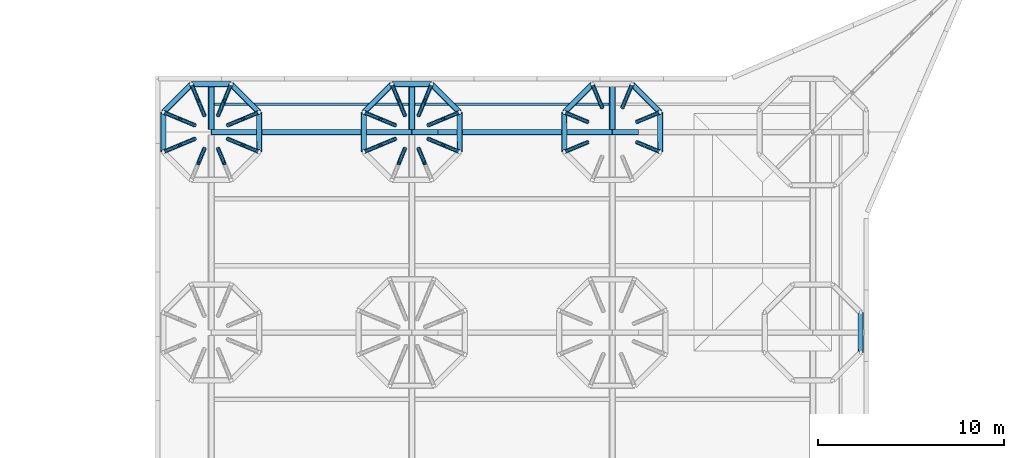
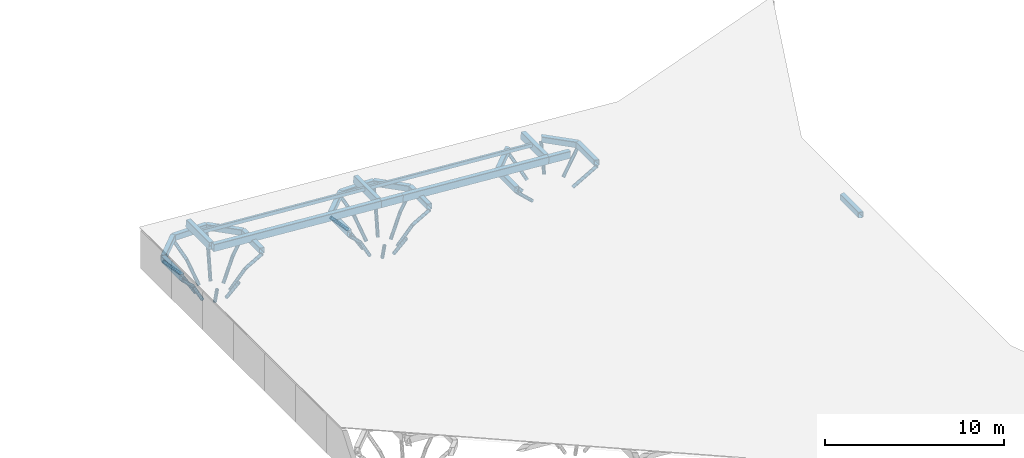
# One storey, part 41 of 95: 34 members, 24 beams.
"""IFC4 building model written with IfcOpenShell, lengths in metres."""

from ifc_helpers import new_model, si_unit, direction, frame, origin, origin_2d, place, context, subcontext, project, spatial, hollow_rectangle, hollow_circle, extrude, clip, halfspace, material, material_profile, profile_set, type_object, element, save


model = new_model("IFC4")

# Units and contexts
model_context = context("Model", 3, precision=1e-05, world=origin(), true_north=direction((0.0, 1.0)))
body_context = subcontext(model_context, "Body", "Model", "MODEL_VIEW")
ifc_project = project(units=[si_unit("LENGTHUNIT", "METRE"), si_unit("AREAUNIT", "SQUARE_METRE"), si_unit("VOLUMEUNIT", "CUBIC_METRE"), si_unit("PLANEANGLEUNIT", "RADIAN"), si_unit("MASSUNIT", "GRAM", prefix="KILO")], contexts=[model_context])

# Site, building, storey
site_placement = place(None, origin())
site = spatial("IfcSite", under=ifc_project, at=site_placement, CompositionType="ELEMENT")
building_placement = place(site_placement, origin())
building = spatial("IfcBuilding", under=site, at=building_placement, Name="Magnolia Steps Interchange", CompositionType="ELEMENT")
storey_placement = place(building_placement, frame((0.0, 0.0, 4.800048828125)))
storey = spatial("IfcBuildingStorey", under=building, at=storey_placement, Name="L01", CompositionType="ELEMENT", Elevation=4.800048828125)

# Beams
ifc_material_1 = material(Name="Steel Q355B", Category="steel")
ifc_material_profile_1 = material_profile(ifc_material_1, hollow_rectangle(XDim=0.300048828125, YDim=0.39990234375, WallThickness=0.013916015625, InnerFilletRadius=0.013916015625, OuterFilletRadius=0.028076171875, at=origin_2d()), Name="RHS400x300x14")
ifc_profile_set_1 = profile_set([ifc_material_profile_1], Name="Steel Q355B")
beam_type_1 = type_object("IfcBeamType", Name="Ring beam RHS400x300x14", PredefinedType="BEAM", material=ifc_profile_set_1)
beam_1_placement = place(storey_placement, frame((152.97998046875, 75.86865234375, 3.3310546875), z_axis=(-0.707106781187, 0.707106781187, 0.0), x_axis=(-0.707106781187, -0.707106781187, 0.0)))
element("IfcBeam", 1, at=beam_1_placement, inside=storey, type_object=beam_type_1, Name="Ring beam TC01D", PredefinedType="BEAM", context=body_context, shape_type="Clipping", body=[
    clip(clip(extrude(hollow_rectangle(XDim=0.300048828125, YDim=0.39990234375, WallThickness=0.013916015625, InnerFilletRadius=0.013916015625, OuterFilletRadius=0.028076171875, at=origin_2d()), origin(), (0.0, 0.0, 1.0), 2.13720703125), halfspace(frame((0.0, 0.0, 0.0), z_axis=(0.382683433, 0.0, -0.923879532), x_axis=(0.923879532, 0.0, 0.382683433)), False)), halfspace(frame((0.0, 0.0, 2.137202625), z_axis=(0.382683433, 0.0, 0.923879532), x_axis=(0.923879532, 0.0, -0.382683433)), False)),
])
beam_2_placement = place(storey_placement, frame((151.46875, 77.3798828125, 3.3310546875), z_axis=(-1.0, 0.0, 0.0), x_axis=(0.0, -1.0, 0.0)))
element("IfcBeam", 2, at=beam_2_placement, inside=storey, type_object=beam_type_1, Name="Ring beam TC01D", PredefinedType="BEAM", context=body_context, shape_type="Clipping", body=[
    clip(clip(extrude(hollow_rectangle(XDim=0.300048828125, YDim=0.39990234375, WallThickness=0.013916015625, InnerFilletRadius=0.013916015625, OuterFilletRadius=0.028076171875, at=origin_2d()), origin(), (0.0, 0.0, 1.0), 2.137451171875), halfspace(frame((0.0, 0.0, 0.0), z_axis=(0.382683432, 0.0, -0.923879533), x_axis=(0.923879533, 0.0, 0.382683432)), False)), halfspace(frame((0.0, 0.0, 2.137451172), z_axis=(0.382683432, 0.0, 0.923879533), x_axis=(0.923879533, 0.0, -0.382683432)), False)),
])
beam_3_placement = place(storey_placement, frame((149.331298828125, 77.3798828125, 3.3310546875), z_axis=(-0.707106781187, -0.707106781187, 0.0), x_axis=(0.707106781187, -0.707106781187, 0.0)))
element("IfcBeam", 3, at=beam_3_placement, inside=storey, type_object=beam_type_1, Name="Ring beam TC01D", PredefinedType="BEAM", context=body_context, shape_type="Clipping", body=[
    clip(clip(extrude(hollow_rectangle(XDim=0.300048828125, YDim=0.39990234375, WallThickness=0.013916015625, InnerFilletRadius=0.013916015625, OuterFilletRadius=0.028076171875, at=origin_2d()), origin(), (0.0, 0.0, 1.0), 2.13720703125), halfspace(frame((0.0, 0.0, 0.0), z_axis=(0.382683433, 0.0, -0.923879532), x_axis=(0.923879532, 0.0, 0.382683433)), False)), halfspace(frame((0.0, 0.0, 2.137202625), z_axis=(0.382683433, 0.0, 0.923879532), x_axis=(0.923879532, 0.0, -0.382683433)), False)),
])
for number, where, z_axis, x_axis, name in (
    (4, (147.820068359375, 75.86865234375, 3.3310546875), (0.0, -1.0, 0.0), (1.0, 0.0, 0.0), "Ring beam TC01D"),
    (5, (152.97998046875, 73.731201171875, 3.3310546875), (0.0, 1.0, 0.0), (-1.0, 0.0, 0.0), "Ring beam TC01D"),
):
    element("IfcBeam", number, at=place(storey_placement, frame(where, z_axis=z_axis, x_axis=x_axis)), inside=storey, type_object=beam_type_1, Name=name, PredefinedType="BEAM", context=body_context, shape_type="Clipping", body=[
        clip(clip(extrude(hollow_rectangle(XDim=0.300048828125, YDim=0.39990234375, WallThickness=0.013916015625, InnerFilletRadius=0.013916015625, OuterFilletRadius=0.028076171875, at=origin_2d()), origin(), (0.0, 0.0, 1.0), 2.137451171875), halfspace(frame((0.0, 0.0, 0.0), z_axis=(0.382683432, 0.0, -0.923879533), x_axis=(0.923879533, 0.0, 0.382683432)), False)), halfspace(frame((0.0, 0.0, 2.137451172), z_axis=(0.382683432, 0.0, 0.923879533), x_axis=(0.923879533, 0.0, -0.382683432)), False)),
    ])
beam_4_placement = place(storey_placement, frame((163.780029296875, 75.86865234375, 2.543701171875), z_axis=(-0.707106781187, 0.707106781187, 0.0), x_axis=(-0.707106781187, -0.707106781187, 0.0)))
element("IfcBeam", 6, at=beam_4_placement, inside=storey, type_object=beam_type_1, Name="Ring beam TC02D", PredefinedType="BEAM", context=body_context, shape_type="Clipping", body=[
    clip(clip(extrude(hollow_rectangle(XDim=0.300048828125, YDim=0.39990234375, WallThickness=0.013916015625, InnerFilletRadius=0.013916015625, OuterFilletRadius=0.028076171875, at=origin_2d()), origin(), (0.0, 0.0, 1.0), 2.13720703125), halfspace(frame((0.0, 0.0, 0.0), z_axis=(0.382683433, 0.0, -0.923879532), x_axis=(0.923879532, 0.0, 0.382683433)), False)), halfspace(frame((0.0, 0.0, 2.137202625), z_axis=(0.382683433, 0.0, 0.923879532), x_axis=(0.923879532, 0.0, -0.382683433)), False)),
])
beam_5_placement = place(storey_placement, frame((162.268798828125, 77.3798828125, 2.543701171875), z_axis=(-1.0, 0.0, 0.0), x_axis=(0.0, -1.0, 0.0)))
element("IfcBeam", 7, at=beam_5_placement, inside=storey, type_object=beam_type_1, Name="Ring beam TC02D", PredefinedType="BEAM", context=body_context, shape_type="Clipping", body=[
    clip(clip(extrude(hollow_rectangle(XDim=0.300048828125, YDim=0.39990234375, WallThickness=0.013916015625, InnerFilletRadius=0.013916015625, OuterFilletRadius=0.028076171875, at=origin_2d()), origin(), (0.0, 0.0, 1.0), 2.137451171875), halfspace(frame((0.0, 0.0, 0.0), z_axis=(0.382683432, 0.0, -0.923879533), x_axis=(0.923879533, 0.0, 0.382683432)), False)), halfspace(frame((0.0, 0.0, 2.137451172), z_axis=(0.382683432, 0.0, 0.923879533), x_axis=(0.923879533, 0.0, -0.382683432)), False)),
])
beam_6_placement = place(storey_placement, frame((160.13134765625, 77.3798828125, 2.543701171875), z_axis=(-0.707106781187, -0.707106781187, 0.0), x_axis=(0.707106781187, -0.707106781187, 0.0)))
element("IfcBeam", 8, at=beam_6_placement, inside=storey, type_object=beam_type_1, Name="Ring beam TC02D", PredefinedType="BEAM", context=body_context, shape_type="Clipping", body=[
    clip(clip(extrude(hollow_rectangle(XDim=0.300048828125, YDim=0.39990234375, WallThickness=0.013916015625, InnerFilletRadius=0.013916015625, OuterFilletRadius=0.028076171875, at=origin_2d()), origin(), (0.0, 0.0, 1.0), 2.13720703125), halfspace(frame((0.0, 0.0, 0.0), z_axis=(0.382683433, 0.0, -0.923879532), x_axis=(0.923879532, 0.0, 0.382683433)), False)), halfspace(frame((0.0, 0.0, 2.137202625), z_axis=(0.382683433, 0.0, 0.923879532), x_axis=(0.923879532, 0.0, -0.382683433)), False)),
])
for number, where, z_axis, x_axis, name in (
    (9, (158.6201171875, 75.86865234375, 2.543701171875), (0.0, -1.0, 0.0), (1.0, 0.0, 0.0), "Ring beam TC02D"),
    (10, (163.780029296875, 73.731201171875, 2.543701171875), (0.0, 1.0, 0.0), (-1.0, 0.0, 0.0), "Ring beam TC02D"),
):
    element("IfcBeam", number, at=place(storey_placement, frame(where, z_axis=z_axis, x_axis=x_axis)), inside=storey, type_object=beam_type_1, Name=name, PredefinedType="BEAM", context=body_context, shape_type="Clipping", body=[
        clip(clip(extrude(hollow_rectangle(XDim=0.300048828125, YDim=0.39990234375, WallThickness=0.013916015625, InnerFilletRadius=0.013916015625, OuterFilletRadius=0.028076171875, at=origin_2d()), origin(), (0.0, 0.0, 1.0), 2.137451171875), halfspace(frame((0.0, 0.0, 0.0), z_axis=(0.382683432, 0.0, -0.923879533), x_axis=(0.923879533, 0.0, 0.382683432)), False)), halfspace(frame((0.0, 0.0, 2.137451172), z_axis=(0.382683432, 0.0, 0.923879533), x_axis=(0.923879533, 0.0, -0.382683432)), False)),
    ])
beam_7_placement = place(storey_placement, frame((174.580078125, 75.86865234375, 1.756103515625), z_axis=(-0.707163891131, 0.707049666629, 0.0), x_axis=(-0.707049666629, -0.707163891131, 0.0)))
element("IfcBeam", 11, at=beam_7_placement, inside=storey, type_object=beam_type_1, Name="Ring beam TC03D", PredefinedType="BEAM", context=body_context, shape_type="Clipping", body=[
    clip(clip(extrude(hollow_rectangle(XDim=0.300048828125, YDim=0.39990234375, WallThickness=0.013916015625, InnerFilletRadius=0.013916015625, OuterFilletRadius=0.028076171875, at=origin_2d()), origin(), (0.0, 0.0, 1.0), 2.137451171875), halfspace(frame((0.0, 0.0, 0.0), z_axis=(0.382758052, 0.0, -0.92384862), x_axis=(0.923848621, 0.0, 0.382758052)), False)), halfspace(frame((0.0, 0.0, 2.137375265), z_axis=(0.382608811, 0.0, 0.923910438), x_axis=(0.923910438, 0.0, -0.382608811)), False)),
])
beam_8_placement = place(storey_placement, frame((170.931396484375, 77.3798828125, 1.756103515625), z_axis=(-0.707163891131, -0.707049666629, 0.0), x_axis=(0.707049666629, -0.707163891131, 0.0)))
element("IfcBeam", 12, at=beam_8_placement, inside=storey, type_object=beam_type_1, Name="Ring beam TC03D", PredefinedType="BEAM", context=body_context, shape_type="Clipping", body=[
    clip(clip(extrude(hollow_rectangle(XDim=0.300048828125, YDim=0.39990234375, WallThickness=0.013916015625, InnerFilletRadius=0.013916015625, OuterFilletRadius=0.028076171875, at=origin_2d()), origin(), (0.0, 0.0, 1.0), 2.137451171875), halfspace(frame((0.0, 0.0, 0.0), z_axis=(0.382608811, 0.0, -0.923910438), x_axis=(0.923910438, 0.0, 0.382608811)), False)), halfspace(frame((0.0, 0.0, 2.137375265), z_axis=(0.382758052, 0.0, 0.92384862), x_axis=(0.923848621, 0.0, -0.382758052)), False)),
])
for number, where, z_axis, x_axis, name in (
    (13, (169.419921875, 75.86865234375, 1.756103515625), (0.0, -1.0, 0.0), (1.0, 0.0, 0.0), "Ring beam TC03D"),
    (14, (174.580078125, 73.731201171875, 1.756103515625), (0.0, 1.0, 0.0), (-1.0, 0.0, 0.0), "Ring beam TC03D"),
):
    element("IfcBeam", number, at=place(storey_placement, frame(where, z_axis=z_axis, x_axis=x_axis)), inside=storey, type_object=beam_type_1, Name=name, PredefinedType="BEAM", context=body_context, shape_type="Clipping", body=[
        clip(clip(extrude(hollow_rectangle(XDim=0.300048828125, YDim=0.39990234375, WallThickness=0.013916015625, InnerFilletRadius=0.013916015625, OuterFilletRadius=0.028076171875, at=origin_2d()), origin(), (0.0, 0.0, 1.0), 2.137451171875), halfspace(frame((0.0, 0.0, 0.0), z_axis=(0.382683432, 0.0, -0.923879533), x_axis=(0.923879533, 0.0, 0.382683432)), False)), halfspace(frame((0.0, 0.0, 2.137451172), z_axis=(0.382683432, 0.0, 0.923879533), x_axis=(0.923879533, 0.0, -0.382683432)), False)),
    ])
beam_9_placement = place(storey_placement, frame((185.3798828125, 62.931396484375, 0.96875), z_axis=(0.0, 1.0, 0.0), x_axis=(-1.0, 0.0, 0.0)))
element("IfcBeam", 15, at=beam_9_placement, inside=storey, type_object=beam_type_1, Name="Ring beam TC04C", PredefinedType="BEAM", context=body_context, shape_type="Clipping", body=[
    clip(clip(extrude(hollow_rectangle(XDim=0.300048828125, YDim=0.39990234375, WallThickness=0.013916015625, InnerFilletRadius=0.013916015625, OuterFilletRadius=0.028076171875, at=origin_2d()), origin(), (0.0, 0.0, 1.0), 2.13720703125), halfspace(frame((0.0, 0.0, 0.0), z_axis=(0.382683432, 0.0, -0.923879533), x_axis=(0.923879533, 0.0, 0.382683432)), False)), halfspace(frame((0.0, 0.0, 2.137207031), z_axis=(0.382683432, 0.0, 0.923879533), x_axis=(0.923879533, 0.0, -0.382683432)), False)),
])
ifc_material_2 = material(Name="Steel Q355B", Category="steel")
ifc_material_profile_2 = material_profile(ifc_material_2, hollow_rectangle(XDim=0.300048828125, YDim=0.5, WallThickness=0.01611328125, InnerFilletRadius=0.01611328125, OuterFilletRadius=0.031982421875, at=origin_2d()), Name="RHS500x300x16")
ifc_profile_set_2 = profile_set([ifc_material_profile_2], Name="Steel Q355B")
beam_type_2 = type_object("IfcBeamType", Name="Roof beam RHS500x300x16", PredefinedType="BEAM", material=ifc_profile_set_2)
beam_10_placement = place(storey_placement, frame((150.39990234375, 74.800048828125, 3.830322265625), z_axis=(0.997351503613, 0.0, -0.072732236604), x_axis=(0.0, 1.0, 0.0)))
element("IfcBeam", 16, at=beam_10_placement, inside=storey, type_object=beam_type_2, Name="Roof beam", PredefinedType="BEAM", context=body_context, shape_type="SweptSolid", body=[
    extrude(hollow_rectangle(XDim=0.300048828125, YDim=0.5, WallThickness=0.01611328125, InnerFilletRadius=0.01611328125, OuterFilletRadius=0.031982421875, at=origin_2d()), origin(), (0.0, 0.0, 1.0), 10.82861328125),
])
beam_11_placement = place(storey_placement, frame((161.199951171875, 74.800048828125, 3.042724609375), z_axis=(0.997354367098, 0.0, -0.072692959973), x_axis=(0.0, 1.0, 0.0)))
element("IfcBeam", 17, at=beam_11_placement, inside=storey, type_object=beam_type_2, Name="Roof beam", PredefinedType="BEAM", context=body_context, shape_type="SweptSolid", body=[
    extrude(hollow_rectangle(XDim=0.300048828125, YDim=0.5, WallThickness=0.01611328125, InnerFilletRadius=0.01611328125, OuterFilletRadius=0.031982421875, at=origin_2d()), origin(), (0.0, 0.0, 1.0), 1.40380859375),
])
beam_12_placement = place(storey_placement, frame((162.60009765625, 74.800048828125, 2.940673828125), z_axis=(0.997352955834, 0.0, -0.072712320062), x_axis=(0.0, 1.0, 0.0)))
element("IfcBeam", 18, at=beam_12_placement, inside=storey, type_object=beam_type_2, Name="Roof beam", PredefinedType="BEAM", context=body_context, shape_type="SweptSolid", body=[
    extrude(hollow_rectangle(XDim=0.300048828125, YDim=0.5, WallThickness=0.01611328125, InnerFilletRadius=0.01611328125, OuterFilletRadius=0.031982421875, at=origin_2d()), origin(), (0.0, 0.0, 1.0), 9.4248046875),
])
beam_13_placement = place(storey_placement, frame((172.0, 74.800048828125, 2.25537109375), z_axis=(0.99734082034, 0.0, -0.072878584535), x_axis=(0.0, 1.0, 0.0)))
element("IfcBeam", 19, at=beam_13_placement, inside=storey, type_object=beam_type_2, Name="Roof beam", PredefinedType="BEAM", context=body_context, shape_type="SweptSolid", body=[
    extrude(hollow_rectangle(XDim=0.300048828125, YDim=0.5, WallThickness=0.01611328125, InnerFilletRadius=0.01611328125, OuterFilletRadius=0.031982421875, at=origin_2d()), origin(), (0.0, 0.0, 1.0), 1.403564453125),
])
for number, where, z_axis, x_axis, name in (
    (20, (150.39990234375, 74.949951171875, 3.830322265625), (0.0, 1.0, 0.0), (-0.997352109794, 0.0, 0.072723923782), "Roof beam"),
    (21, (161.199951171875, 74.949951171875, 3.042724609375), (0.0, 1.0, 0.0), (-0.997352109794, 0.0, 0.072723923782), "Roof beam"),
    (22, (172.0, 74.949951171875, 2.25537109375), (0.0, 1.0, 0.0), (-0.997352109794, 0.0, 0.072723923782), "Roof beam"),
):
    element("IfcBeam", number, at=place(storey_placement, frame(where, z_axis=z_axis, x_axis=x_axis)), inside=storey, type_object=beam_type_2, Name=name, PredefinedType="BEAM", context=body_context, shape_type="SweptSolid", body=[
        extrude(hollow_rectangle(XDim=0.300048828125, YDim=0.5, WallThickness=0.01611328125, InnerFilletRadius=0.01611328125, OuterFilletRadius=0.031982421875, at=origin_2d()), origin(), (0.0, 0.0, 1.0), 2.590087890625),
    ])
ifc_material_3 = material(Name="Steel Q355B", Category="steel")
ifc_material_profile_3 = material_profile(ifc_material_3, hollow_rectangle(XDim=0.14990234375, YDim=0.25, WallThickness=0.008056640625, InnerFilletRadius=0.008056640625, OuterFilletRadius=0.01611328125, at=origin_2d()), Name="RHS250x150x8")
ifc_profile_set_3 = profile_set([ifc_material_profile_3], Name="Steel Q355B")
beam_type_3 = type_object("IfcBeamType", Name="Roof edge joist RHS250x150x8", PredefinedType="BEAM", material=ifc_profile_set_3)
for number, where, z_axis, x_axis, name in (
    (23, (150.550048828125, 76.300048828125, 3.944580078125), (0.997352133906, 0.0, -0.072723593097), (0.0, 1.0, 0.0), "Roof edge joist"),
    (24, (161.35009765625, 76.300048828125, 3.1572265625), (0.997350451653, 0.0, -0.072746660315), (0.0, 1.0, 0.0), "Roof edge joist"),
):
    element("IfcBeam", number, at=place(storey_placement, frame(where, z_axis=z_axis, x_axis=x_axis)), inside=storey, type_object=beam_type_3, Name=name, PredefinedType="BEAM", context=body_context, shape_type="SweptSolid", body=[
        extrude(hollow_rectangle(XDim=0.14990234375, YDim=0.25, WallThickness=0.008056640625, InnerFilletRadius=0.008056640625, OuterFilletRadius=0.01611328125, at=origin_2d()), origin(), (0.0, 0.0, 1.0), 10.52783203125),
    ])

# Members
ifc_material_4 = material(Name="Steel Q355B", Category="steel")
ifc_material_profile_4 = material_profile(ifc_material_4, hollow_circle(Radius=0.109619140625, WallThickness=0.010009765625, at=origin_2d()), Name="CHS219x10")
ifc_profile_set_4 = profile_set([ifc_material_profile_4], Name="Steel Q355B")
member_type = type_object("IfcMemberType", Name="Tree rib CHS219x10", PredefinedType="USERDEFINED", material=ifc_profile_set_4)
member_1_placement = place(storey_placement, frame((151.298583984375, 75.172119140625, 0.82861328125), z_axis=(0.489571014481, 0.202820124805, 0.848047297475), x_axis=(-0.382736860682, 0.923857399968, 0.0)))
element("IfcMember", 25, at=member_1_placement, inside=storey, type_object=member_type, Name="Tree rib TC01D", ObjectType="TREE RIB", PredefinedType="USERDEFINED", context=body_context, shape_type="SweptSolid", body=[
    extrude(hollow_circle(Radius=0.109619140625, WallThickness=0.010009765625, at=origin_2d()), origin(), (0.0, 0.0, 1.0), 1.6201171875),
])
member_2_placement = place(storey_placement, frame((152.091796875, 75.500732421875, 2.20263671875), z_axis=(0.664549413336, 0.275282013715, 0.694689779801), x_axis=(-0.382703170478, 0.92387135647, 0.0)))
element("IfcMember", 26, at=member_2_placement, inside=storey, type_object=member_type, Name="Tree rib TC01D", ObjectType="TREE RIB", PredefinedType="USERDEFINED", context=body_context, shape_type="SweptSolid", body=[
    extrude(hollow_circle(Radius=0.109619140625, WallThickness=0.010009765625, at=origin_2d()), origin(), (0.0, 0.0, 1.0), 1.33642578125),
])
member_3_placement = place(storey_placement, frame((150.772216796875, 75.698486328125, 0.82861328125), z_axis=(0.202675633104, 0.489585971714, 0.848073206773), x_axis=(-0.923957924019, 0.382494123671, 0.0)))
element("IfcMember", 27, at=member_3_placement, inside=storey, type_object=member_type, Name="Tree rib TC01D", ObjectType="TREE RIB", PredefinedType="USERDEFINED", context=body_context, shape_type="SweptSolid", body=[
    extrude(hollow_circle(Radius=0.109619140625, WallThickness=0.010009765625, at=origin_2d()), origin(), (0.0, 0.0, 1.0), 1.6201171875),
])
member_4_placement = place(storey_placement, frame((151.1005859375, 76.49169921875, 2.20263671875), z_axis=(0.275450827185, 0.664515987598, 0.694654838053), x_axis=(-0.923781550934, 0.382919895219, 0.0)))
element("IfcMember", 28, at=member_4_placement, inside=storey, type_object=member_type, Name="Tree rib TC01D", ObjectType="TREE RIB", PredefinedType="USERDEFINED", context=body_context, shape_type="SweptSolid", body=[
    extrude(hollow_circle(Radius=0.109619140625, WallThickness=0.010009765625, at=origin_2d()), origin(), (0.0, 0.0, 1.0), 1.336669921875),
])
member_5_placement = place(storey_placement, frame((150.02783203125, 75.698486328125, 0.82861328125), z_axis=(-0.202820124805, 0.489571014481, 0.848047297475), x_axis=(-0.923857399968, -0.382736860682, 0.0)))
element("IfcMember", 29, at=member_5_placement, inside=storey, type_object=member_type, Name="Tree rib TC01D", ObjectType="TREE RIB", PredefinedType="USERDEFINED", context=body_context, shape_type="SweptSolid", body=[
    extrude(hollow_circle(Radius=0.109619140625, WallThickness=0.010009765625, at=origin_2d()), origin(), (0.0, 0.0, 1.0), 1.6201171875),
])
member_6_placement = place(storey_placement, frame((149.69921875, 76.49169921875, 2.20263671875), z_axis=(-0.275282013715, 0.664549413336, 0.694689779801), x_axis=(-0.92387135647, -0.382703170478, 0.0)))
element("IfcMember", 30, at=member_6_placement, inside=storey, type_object=member_type, Name="Tree rib TC01D", ObjectType="TREE RIB", PredefinedType="USERDEFINED", context=body_context, shape_type="SweptSolid", body=[
    extrude(hollow_circle(Radius=0.109619140625, WallThickness=0.010009765625, at=origin_2d()), origin(), (0.0, 0.0, 1.0), 1.33642578125),
])
member_7_placement = place(storey_placement, frame((149.50146484375, 75.172119140625, 0.82861328125), z_axis=(-0.489571014481, 0.202820124805, 0.848047297475), x_axis=(-0.382736860682, -0.923857399968, 0.0)))
element("IfcMember", 31, at=member_7_placement, inside=storey, type_object=member_type, Name="Tree rib TC01D", ObjectType="TREE RIB", PredefinedType="USERDEFINED", context=body_context, shape_type="SweptSolid", body=[
    extrude(hollow_circle(Radius=0.109619140625, WallThickness=0.010009765625, at=origin_2d()), origin(), (0.0, 0.0, 1.0), 1.6201171875),
])
member_8_placement = place(storey_placement, frame((148.708251953125, 75.500732421875, 2.20263671875), z_axis=(-0.664549413336, 0.275282013715, 0.694689779801), x_axis=(-0.382703170478, -0.92387135647, 0.0)))
element("IfcMember", 32, at=member_8_placement, inside=storey, type_object=member_type, Name="Tree rib TC01D", ObjectType="TREE RIB", PredefinedType="USERDEFINED", context=body_context, shape_type="SweptSolid", body=[
    extrude(hollow_circle(Radius=0.109619140625, WallThickness=0.010009765625, at=origin_2d()), origin(), (0.0, 0.0, 1.0), 1.33642578125),
])
member_9_placement = place(storey_placement, frame((149.50146484375, 74.427734375, 0.82861328125), z_axis=(-0.489585971714, -0.202675633104, 0.848073206773), x_axis=(0.382494123671, -0.923957924019, 0.0)))
element("IfcMember", 33, at=member_9_placement, inside=storey, type_object=member_type, Name="Tree rib TC01D", ObjectType="TREE RIB", PredefinedType="USERDEFINED", context=body_context, shape_type="SweptSolid", body=[
    extrude(hollow_circle(Radius=0.109619140625, WallThickness=0.010009765625, at=origin_2d()), origin(), (0.0, 0.0, 1.0), 1.6201171875),
])
member_10_placement = place(storey_placement, frame((148.708251953125, 74.099365234375, 2.20263671875), z_axis=(-0.664515987598, -0.275450827185, 0.694654838053), x_axis=(0.382919895219, -0.923781550934, 0.0)))
element("IfcMember", 34, at=member_10_placement, inside=storey, type_object=member_type, Name="Tree rib TC01D", ObjectType="TREE RIB", PredefinedType="USERDEFINED", context=body_context, shape_type="SweptSolid", body=[
    extrude(hollow_circle(Radius=0.109619140625, WallThickness=0.010009765625, at=origin_2d()), origin(), (0.0, 0.0, 1.0), 1.336669921875),
])
for number, where, z_axis, x_axis, name in (
    (35, (150.02783203125, 73.901611328125, 0.82861328125), (-0.202805162052, -0.489685569591, 0.847984734049), (0.923899037473, -0.382636339827, 0.0), "Tree rib TC01D"),
    (36, (150.772216796875, 73.901611328125, 0.82861328125), (0.202660680098, -0.489700528117, 0.848010637613), (0.923999513248, 0.382393644713, 0.0), "Tree rib TC01D"),
):
    element("IfcMember", number, at=place(storey_placement, frame(where, z_axis=z_axis, x_axis=x_axis)), inside=storey, type_object=member_type, Name=name, ObjectType="TREE RIB", PredefinedType="USERDEFINED", context=body_context, shape_type="SweptSolid", body=[
        extrude(hollow_circle(Radius=0.109619140625, WallThickness=0.010009765625, at=origin_2d()), origin(), (0.0, 0.0, 1.0), 1.620361328125),
    ])
member_11_placement = place(storey_placement, frame((151.298583984375, 74.427734375, 0.82861328125), z_axis=(0.489585971714, -0.202675633104, 0.848073206773), x_axis=(0.382494123671, 0.923957924019, 0.0)))
element("IfcMember", 37, at=member_11_placement, inside=storey, type_object=member_type, Name="Tree rib TC01D", ObjectType="TREE RIB", PredefinedType="USERDEFINED", context=body_context, shape_type="SweptSolid", body=[
    extrude(hollow_circle(Radius=0.109619140625, WallThickness=0.010009765625, at=origin_2d()), origin(), (0.0, 0.0, 1.0), 1.6201171875),
])
member_12_placement = place(storey_placement, frame((152.091796875, 74.099365234375, 2.20263671875), z_axis=(0.664515987598, -0.275450827185, 0.694654838053), x_axis=(0.382919895219, 0.923781550934, 0.0)))
element("IfcMember", 38, at=member_12_placement, inside=storey, type_object=member_type, Name="Tree rib TC01D", ObjectType="TREE RIB", PredefinedType="USERDEFINED", context=body_context, shape_type="SweptSolid", body=[
    extrude(hollow_circle(Radius=0.109619140625, WallThickness=0.010009765625, at=origin_2d()), origin(), (0.0, 0.0, 1.0), 1.336669921875),
])
member_13_placement = place(storey_placement, frame((162.098388671875, 75.172119140625, 0.041259765625), z_axis=(0.489748142153, 0.202831076719, 0.847942398736), x_axis=(-0.382636339827, 0.923899037473, 0.0)))
element("IfcMember", 39, at=member_13_placement, inside=storey, type_object=member_type, Name="Tree rib TC02D", ObjectType="TREE RIB", PredefinedType="USERDEFINED", context=body_context, shape_type="SweptSolid", body=[
    extrude(hollow_circle(Radius=0.109619140625, WallThickness=0.010009765625, at=origin_2d()), origin(), (0.0, 0.0, 1.0), 1.6201171875),
])
member_14_placement = place(storey_placement, frame((162.891845703125, 75.500732421875, 1.4150390625), z_axis=(0.664465088171, 0.275247082978, 0.694784275811), x_axis=(-0.382703170478, 0.92387135647, 0.0)))
element("IfcMember", 40, at=member_14_placement, inside=storey, type_object=member_type, Name="Tree rib TC02D", ObjectType="TREE RIB", PredefinedType="USERDEFINED", context=body_context, shape_type="SweptSolid", body=[
    extrude(hollow_circle(Radius=0.109619140625, WallThickness=0.010009765625, at=origin_2d()), origin(), (0.0, 0.0, 1.0), 1.336669921875),
])
member_15_placement = place(storey_placement, frame((161.572265625, 75.698486328125, 0.041259765625), z_axis=(0.202701536625, 0.489648544606, 0.848030889658), x_axis=(-0.923957924019, 0.382494123671, 0.0)))
element("IfcMember", 41, at=member_15_placement, inside=storey, type_object=member_type, Name="Tree rib TC02D", ObjectType="TREE RIB", PredefinedType="USERDEFINED", context=body_context, shape_type="SweptSolid", body=[
    extrude(hollow_circle(Radius=0.109619140625, WallThickness=0.010009765625, at=origin_2d()), origin(), (0.0, 0.0, 1.0), 1.619873046875),
])
member_16_placement = place(storey_placement, frame((161.900634765625, 76.49169921875, 1.4150390625), z_axis=(0.275415878541, 0.664431675155, 0.694749338177), x_axis=(-0.923781550934, 0.382919895219, 0.0)))
element("IfcMember", 42, at=member_16_placement, inside=storey, type_object=member_type, Name="Tree rib TC02D", ObjectType="TREE RIB", PredefinedType="USERDEFINED", context=body_context, shape_type="SweptSolid", body=[
    extrude(hollow_circle(Radius=0.109619140625, WallThickness=0.010009765625, at=origin_2d()), origin(), (0.0, 0.0, 1.0), 1.336669921875),
])
member_17_placement = place(storey_placement, frame((160.827880859375, 75.698486328125, 0.041259765625), z_axis=(-0.202846045209, 0.489633581637, 0.84800497503), x_axis=(-0.923857399968, -0.382736860682, 0.0)))
element("IfcMember", 43, at=member_17_placement, inside=storey, type_object=member_type, Name="Tree rib TC02D", ObjectType="TREE RIB", PredefinedType="USERDEFINED", context=body_context, shape_type="SweptSolid", body=[
    extrude(hollow_circle(Radius=0.109619140625, WallThickness=0.010009765625, at=origin_2d()), origin(), (0.0, 0.0, 1.0), 1.6201171875),
])
member_18_placement = place(storey_placement, frame((160.499267578125, 76.49169921875, 1.4150390625), z_axis=(-0.275247082978, 0.664465088171, 0.694784275811), x_axis=(-0.92387135647, -0.382703170478, 0.0)))
element("IfcMember", 44, at=member_18_placement, inside=storey, type_object=member_type, Name="Tree rib TC02D", ObjectType="TREE RIB", PredefinedType="USERDEFINED", context=body_context, shape_type="SweptSolid", body=[
    extrude(hollow_circle(Radius=0.109619140625, WallThickness=0.010009765625, at=origin_2d()), origin(), (0.0, 0.0, 1.0), 1.336669921875),
])
member_19_placement = place(storey_placement, frame((160.301513671875, 75.172119140625, 0.041259765625), z_axis=(-0.489633581637, 0.202846045209, 0.84800497503), x_axis=(-0.382736860682, -0.923857399968, 0.0)))
element("IfcMember", 45, at=member_19_placement, inside=storey, type_object=member_type, Name="Tree rib TC02D", ObjectType="TREE RIB", PredefinedType="USERDEFINED", context=body_context, shape_type="SweptSolid", body=[
    extrude(hollow_circle(Radius=0.109619140625, WallThickness=0.010009765625, at=origin_2d()), origin(), (0.0, 0.0, 1.0), 1.6201171875),
])
member_20_placement = place(storey_placement, frame((159.50830078125, 75.500732421875, 1.4150390625), z_axis=(-0.664465088171, 0.275247082978, 0.694784275811), x_axis=(-0.382703170478, -0.92387135647, 0.0)))
element("IfcMember", 46, at=member_20_placement, inside=storey, type_object=member_type, Name="Tree rib TC02D", ObjectType="TREE RIB", PredefinedType="USERDEFINED", context=body_context, shape_type="SweptSolid", body=[
    extrude(hollow_circle(Radius=0.109619140625, WallThickness=0.010009765625, at=origin_2d()), origin(), (0.0, 0.0, 1.0), 1.336669921875),
])
member_21_placement = place(storey_placement, frame((160.301513671875, 74.427734375, 0.041259765625), z_axis=(-0.489648544606, -0.202701536625, 0.848030889658), x_axis=(0.382494123671, -0.923957924019, 0.0)))
element("IfcMember", 47, at=member_21_placement, inside=storey, type_object=member_type, Name="Tree rib TC02D", ObjectType="TREE RIB", PredefinedType="USERDEFINED", context=body_context, shape_type="SweptSolid", body=[
    extrude(hollow_circle(Radius=0.109619140625, WallThickness=0.010009765625, at=origin_2d()), origin(), (0.0, 0.0, 1.0), 1.619873046875),
])
member_22_placement = place(storey_placement, frame((159.50830078125, 74.099365234375, 1.4150390625), z_axis=(-0.664431675155, -0.275415878541, 0.694749338177), x_axis=(0.382919895219, -0.923781550934, 0.0)))
element("IfcMember", 48, at=member_22_placement, inside=storey, type_object=member_type, Name="Tree rib TC02D", ObjectType="TREE RIB", PredefinedType="USERDEFINED", context=body_context, shape_type="SweptSolid", body=[
    extrude(hollow_circle(Radius=0.109619140625, WallThickness=0.010009765625, at=origin_2d()), origin(), (0.0, 0.0, 1.0), 1.336669921875),
])
for number, where, z_axis, x_axis, name in (
    (49, (160.827880859375, 73.901611328125, 0.041259765625), (-0.202831076719, -0.489748142153, 0.847942398736), (0.923899037473, -0.382636339827, 0.0), "Tree rib TC02D"),
    (50, (161.572265625, 73.901611328125, 0.041259765625), (0.202686577885, -0.489763106414, 0.847968307628), (0.923999513248, 0.382393644713, 0.0), "Tree rib TC02D"),
    (51, (162.098388671875, 74.427734375, 0.041259765625), (0.489763106414, -0.202686577885, 0.847968307628), (0.382393644713, 0.923999513248, 0.0), "Tree rib TC02D"),
):
    element("IfcMember", number, at=place(storey_placement, frame(where, z_axis=z_axis, x_axis=x_axis)), inside=storey, type_object=member_type, Name=name, ObjectType="TREE RIB", PredefinedType="USERDEFINED", context=body_context, shape_type="SweptSolid", body=[
        extrude(hollow_circle(Radius=0.109619140625, WallThickness=0.010009765625, at=origin_2d()), origin(), (0.0, 0.0, 1.0), 1.6201171875),
    ])
member_23_placement = place(storey_placement, frame((162.891845703125, 74.099365234375, 1.4150390625), z_axis=(0.664431675155, -0.275415878541, 0.694749338177), x_axis=(0.382919895219, 0.923781550934, 0.0)))
element("IfcMember", 52, at=member_23_placement, inside=storey, type_object=member_type, Name="Tree rib TC02D", ObjectType="TREE RIB", PredefinedType="USERDEFINED", context=body_context, shape_type="SweptSolid", body=[
    extrude(hollow_circle(Radius=0.109619140625, WallThickness=0.010009765625, at=origin_2d()), origin(), (0.0, 0.0, 1.0), 1.336669921875),
])
for number, where, z_axis, x_axis, name in (
    (53, (173.322998046875, 75.347900390625, 0.241943359375), (0.664519438523, 0.275280629708, 0.694719001275), (-0.382716262463, 0.923865933156, 0.0), "Tree rib TC03D"),
    (54, (172.5478515625, 76.122802734375, 0.241943359375), (0.275280629708, 0.664519438523, 0.694719001275), (-0.923865933156, 0.382716262463, 0.0), "Tree rib TC03D"),
    (55, (171.4521484375, 76.122802734375, 0.241943359375), (-0.275280629708, 0.664519438523, 0.694719001275), (-0.923865933156, -0.382716262463, 0.0), "Tree rib TC03D"),
    (56, (170.677001953125, 75.347900390625, 0.241943359375), (-0.664519438523, 0.275280629708, 0.694719001275), (-0.382716262463, -0.923865933156, 0.0), "Tree rib TC03D"),
):
    element("IfcMember", number, at=place(storey_placement, frame(where, z_axis=z_axis, x_axis=x_axis)), inside=storey, type_object=member_type, Name=name, ObjectType="TREE RIB", PredefinedType="USERDEFINED", context=body_context, shape_type="SweptSolid", body=[
        extrude(hollow_circle(Radius=0.109619140625, WallThickness=0.010009765625, at=origin_2d()), origin(), (0.0, 0.0, 1.0), 1.8916015625),
    ])
for number, where, z_axis, x_axis, name in (
    (57, (170.677001953125, 74.252197265625, 0.241943359375), (-0.664495825761, -0.275399901374, 0.694694315415), (0.382869392092, -0.923802483543, 0.0), "Tree rib TC03D"),
    (58, (173.322998046875, 74.252197265625, 0.241943359375), (0.664495825761, -0.275399901374, 0.694694315415), (0.382869392092, 0.923802483543, 0.0), "Tree rib TC03D"),
):
    element("IfcMember", number, at=place(storey_placement, frame(where, z_axis=z_axis, x_axis=x_axis)), inside=storey, type_object=member_type, Name=name, ObjectType="TREE RIB", PredefinedType="USERDEFINED", context=body_context, shape_type="SweptSolid", body=[
        extrude(hollow_circle(Radius=0.109619140625, WallThickness=0.010009765625, at=origin_2d()), origin(), (0.0, 0.0, 1.0), 1.891845703125),
    ])

save(model, "model.ifc")
